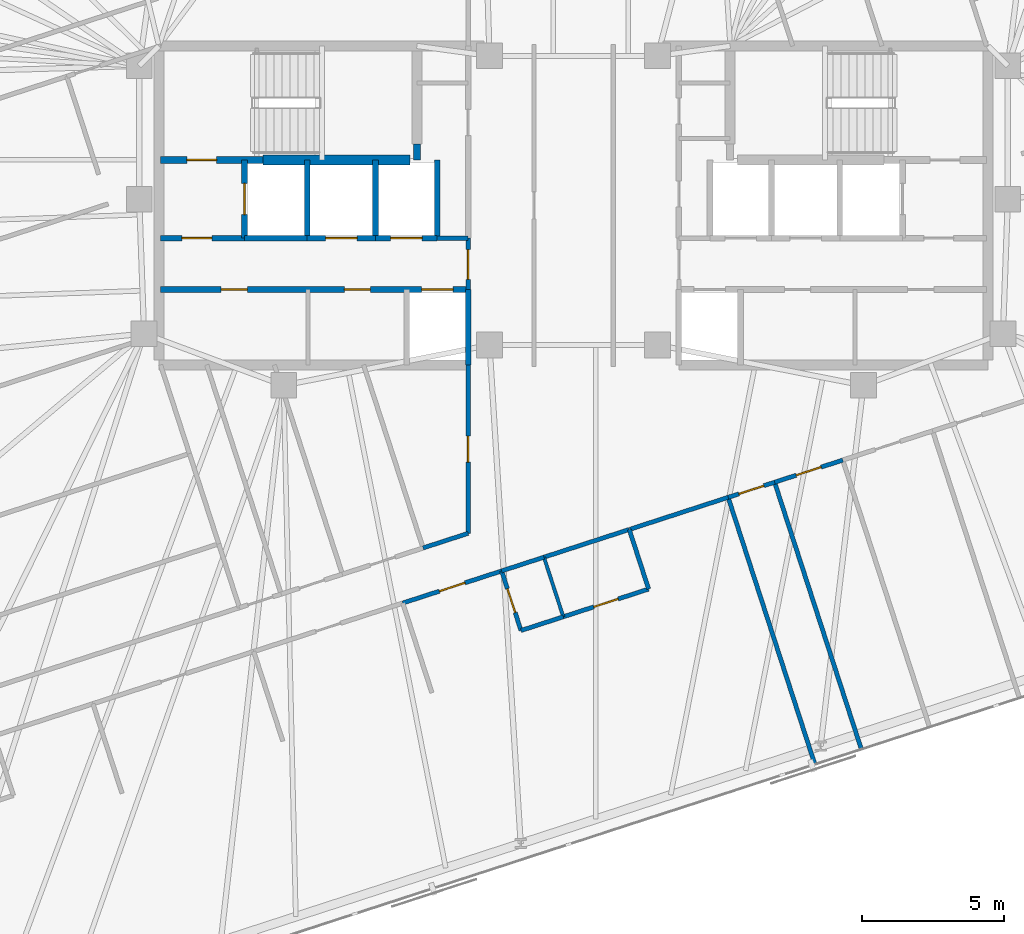
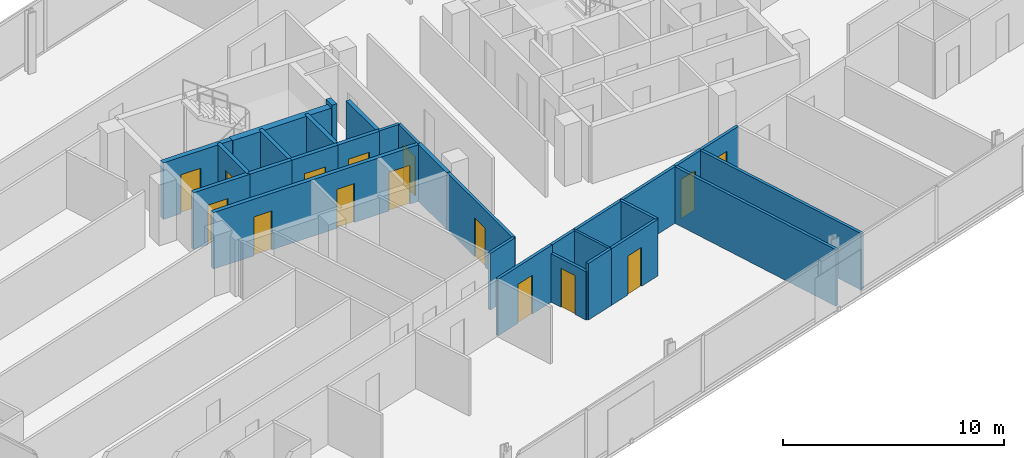
# One storey, part 14 of 19: 30 walls, 15 doors, 15 openings.
"""IFC4 building model written with IfcOpenShell, lengths in metres."""

from ifc_helpers import new_model, si_unit, direction, frame, frame_2d, origin, place, context, subcontext, project, spatial, rectangle, extrude, material, layer, layer_set, type_object, element, fill, save


model = new_model("IFC4")

# Units and contexts
model_context = context("Model", 3, precision=1e-05, world=origin(), true_north=direction((0.0, 1.0)))
body_context = subcontext(model_context, "Body", "Model", "MODEL_VIEW")
ifc_project = project(units=[si_unit("LENGTHUNIT", "METRE"), si_unit("AREAUNIT", "SQUARE_METRE"), si_unit("VOLUMEUNIT", "CUBIC_METRE"), si_unit("PLANEANGLEUNIT", "RADIAN"), si_unit("MASSUNIT", "GRAM", prefix="KILO")], contexts=[model_context])

# Site, building, storey
site_placement = place(None, origin())
site = spatial("IfcSite", under=ifc_project, at=site_placement, CompositionType="ELEMENT")
building_placement = place(site_placement, origin())
building = spatial("IfcBuilding", under=site, at=building_placement, Name="Menara Jurai Vektor", CompositionType="ELEMENT")
storey_placement = place(building_placement, frame((0.0, 0.0, 214.25)))
storey = spatial("IfcBuildingStorey", under=building, at=storey_placement, Name="L56", CompositionType="ELEMENT", Elevation=214.25)

# Wall, opening, door
ifc_material_1 = material(Name="Concrete C40/50", Category="concrete")
ifc_layer_1 = layer(ifc_material_1, 0.25)
ifc_layer_set_1 = layer_set([ifc_layer_1], Name="Concrete C40/50")
wall_type_1 = type_object("IfcWallType", Name="INT-WALL-CORE-250", PredefinedType="STANDARD", material=ifc_layer_set_1)
wall_1_placement = place(storey_placement, frame((-14.5, 1.60009765625, 0.0), z_axis=(0.0, 0.0, 1.0), x_axis=(1.0, 0.0, 0.0)))
wall_1 = element("IfcWall", 1, at=wall_1_placement, inside=storey, type_object=wall_type_1, Name="Interior Wall IW-250 L56", PredefinedType="STANDARD", context=body_context, shape_type="SweptSolid", body=[
    extrude(rectangle(XDim=3.60009765625, YDim=0.25, at=frame_2d((1.800048828125, 0.0))), origin(), (0.0, 0.0, 1.0), 3.125),
])
opening_1_placement = place(wall_1_placement, frame((0.919921875, 0.0, 0.0)))
opening_1 = element("IfcOpeningElement", 2, at=opening_1_placement, cuts=wall_1, Name="Opening D-L56-ST1", PredefinedType="OPENING", context=body_context, shape_type="SweptSolid", body=[
    extrude(rectangle(XDim=1.050048828125, YDim=2.14990234375, at=frame_2d((0.52490234375, 1.074951171875))), frame((0.0, 0.135009765625, 0.0), z_axis=(0.0, -1.0, 0.0), x_axis=(1.0, 0.0, 0.0)), (0.0, 0.0, 1.0), 0.27001953125),
])
ifc_material_2 = material(Name="Fire-Rated Steel Door", Category="steel")
door_type_1 = type_object("IfcDoorType", Name="DR-STAIR-1050", OperationType="NOTDEFINED", PredefinedType="DOOR", material=ifc_material_2)
door_1_placement = place(opening_1_placement, origin())
door_1 = element("IfcDoor", 3, at=door_1_placement, inside=storey, type_object=door_type_1, Name="Exit Stair ST1 Door L56", OperationType="SINGLE_SWING_RIGHT", OverallHeight=2.14990234375, OverallWidth=1.050048828125, PredefinedType="DOOR", context=body_context, shape_type="SweptSolid", body=[
    extrude(rectangle(XDim=1.050048828125, YDim=2.14990234375, at=frame_2d((0.52490234375, 1.074951171875))), frame((0.0, 0.02490234375, 0.0), z_axis=(0.0, -1.0, 0.0), x_axis=(1.0, 0.0, 0.0)), (0.0, 0.0, 1.0), 0.050048828125),
])
fill(opening_1, door_1)

# Wall
wall_2_placement = place(storey_placement, frame((-5.5, 1.60009765625, 0.0), z_axis=(0.0, 0.0, 1.0), x_axis=(0.0, 1.0, 0.0)))
element("IfcWall", 4, at=wall_2_placement, inside=storey, type_object=wall_type_1, Name="Interior Wall IW-250 L56", PredefinedType="STANDARD", context=body_context, shape_type="SweptSolid", body=[
    extrude(rectangle(XDim=0.5498046875, YDim=0.25, at=frame_2d((0.27490234375, 0.0))), origin(), (0.0, 0.0, 1.0), 3.125),
])

# Wall, opening, door
wall_3_placement = place(storey_placement, frame((-11.550048828125, -1.14990234375, 0.0), z_axis=(0.0, 0.0, 1.0), x_axis=(0.0, 1.0, 0.0)))
wall_3 = element("IfcWall", 5, at=wall_3_placement, inside=storey, type_object=wall_type_1, Name="Interior Wall IW-250 L56", PredefinedType="STANDARD", context=body_context, shape_type="SweptSolid", body=[
    extrude(rectangle(XDim=2.75, YDim=0.199951171875, at=frame_2d((1.375, 0.0))), origin(), (0.0, 0.0, 1.0), 3.125),
])
opening_2_placement = place(wall_3_placement, frame((0.824951171875, 0.0, 0.0)))
opening_2 = element("IfcOpeningElement", 6, at=opening_2_placement, cuts=wall_3, Name="Opening LD-L56-FL1", PredefinedType="OPENING", context=body_context, shape_type="SweptSolid", body=[
    extrude(rectangle(XDim=1.10009765625, YDim=2.14990234375, at=frame_2d((0.550048828125, 1.074951171875))), frame((0.0, 0.10986328125, 0.0), z_axis=(0.0, -1.0, 0.0), x_axis=(1.0, 0.0, 0.0)), (0.0, 0.0, 1.0), 0.219970703125),
])
ifc_material_3 = material(Name="Stainless Steel Sliding Lift Landing Door", Category="steel")
door_type_2 = type_object("IfcDoorType", Name="DR-LIFT-FIRE-1100", OperationType="NOTDEFINED", PredefinedType="DOOR", material=ifc_material_3)
door_2_placement = place(opening_2_placement, origin())
door_2 = element("IfcDoor", 7, at=door_2_placement, inside=storey, type_object=door_type_2, Name="Lift Landing Door FL1 L56", OperationType="SLIDING_TO_RIGHT", OverallHeight=2.14990234375, OverallWidth=1.10009765625, PredefinedType="DOOR", context=body_context, shape_type="SweptSolid", body=[
    extrude(rectangle(XDim=1.10009765625, YDim=2.14990234375, at=frame_2d((0.550048828125, 1.074951171875))), frame((0.0, 0.02490234375, 0.0), z_axis=(0.0, -1.0, 0.0), x_axis=(1.0, 0.0, 0.0)), (0.0, 0.0, 1.0), 0.050048828125),
])
fill(opening_2, door_2)

# Wall
wall_4_placement = place(storey_placement, frame((-9.35009765625, -1.14990234375, 0.0), z_axis=(0.0, 0.0, 1.0), x_axis=(0.0, 1.0, 0.0)))
element("IfcWall", 8, at=wall_4_placement, inside=storey, type_object=wall_type_1, Name="Interior Wall IW-250 L56", PredefinedType="STANDARD", context=body_context, shape_type="SweptSolid", body=[
    extrude(rectangle(XDim=2.75, YDim=0.199951171875, at=frame_2d((1.375, 0.0))), origin(), (0.0, 0.0, 1.0), 3.125),
])

# Wall, opening, door
wall_5_placement = place(storey_placement, frame((-14.5, -1.14990234375, 0.0), z_axis=(0.0, 0.0, 1.0), x_axis=(1.0, 0.0, 0.0)))
wall_5 = element("IfcWall", 9, at=wall_5_placement, inside=storey, type_object=wall_type_1, Name="Interior Wall IW-250 L56", PredefinedType="STANDARD", context=body_context, shape_type="SweptSolid", body=[
    extrude(rectangle(XDim=2.949951171875, YDim=0.199951171875, at=frame_2d((1.47509765625, 0.0))), origin(), (0.0, 0.0, 1.0), 3.125),
])
opening_3_placement = place(wall_5_placement, frame((0.75, 0.0, 0.0)))
opening_3 = element("IfcOpeningElement", 10, at=opening_3_placement, cuts=wall_5, Name="Opening D-L56-FFW", PredefinedType="OPENING", context=body_context, shape_type="SweptSolid", body=[
    extrude(rectangle(XDim=1.050048828125, YDim=2.179931640625, at=frame_2d((0.52490234375, 1.08984375))), frame((0.0, 0.10986328125, 0.0), z_axis=(0.0, -1.0, 0.0), x_axis=(1.0, 0.0, 0.0)), (0.0, 0.0, 1.0), 0.219970703125),
])
ifc_material_4 = material(Name="Fire-Rated Timber Door", Category="wood")
door_type_3 = type_object("IfcDoorType", Name="DR-LOBBY-1050", OperationType="NOTDEFINED", PredefinedType="DOOR", material=ifc_material_4)
door_3_placement = place(opening_3_placement, origin())
door_3 = element("IfcDoor", 11, at=door_3_placement, inside=storey, type_object=door_type_3, Name="Fire Lift Lobby Door W L56", OperationType="SINGLE_SWING_RIGHT", OverallHeight=2.179931640625, OverallWidth=1.050048828125, PredefinedType="DOOR", context=body_context, shape_type="SweptSolid", body=[
    extrude(rectangle(XDim=1.050048828125, YDim=2.179931640625, at=frame_2d((0.52490234375, 1.08984375))), frame((0.0, 0.02490234375, 0.0), z_axis=(0.0, -1.0, 0.0), x_axis=(1.0, 0.0, 0.0)), (0.0, 0.0, 1.0), 0.050048828125),
])
fill(opening_3, door_3)

# Wall
wall_6_placement = place(storey_placement, frame((-11.550048828125, -1.14990234375, 0.0), z_axis=(0.0, 0.0, 1.0), x_axis=(1.0, 0.0, 0.0)))
element("IfcWall", 12, at=wall_6_placement, inside=storey, type_object=wall_type_1, Name="Interior Wall IW-250 L56", PredefinedType="STANDARD", context=body_context, shape_type="SweptSolid", body=[
    extrude(rectangle(XDim=2.199951171875, YDim=0.199951171875, at=frame_2d((1.10009765625, 0.0))), origin(), (0.0, 0.0, 1.0), 3.125),
])

# Wall, opening, door
ifc_material_5 = material(Name="Gypsum Fireboard Partition", Category="gypsum")
ifc_layer_2 = layer(ifc_material_5, 0.14990234375)
ifc_layer_set_2 = layer_set([ifc_layer_2], Name="Gypsum Fireboard Partition")
wall_type_2 = type_object("IfcWallType", Name="INT-WALL-CORR-150", PredefinedType="PARTITIONING", material=ifc_layer_set_2)
wall_7_placement = place(storey_placement, frame((-3.699951171875, -2.949951171875, 0.0), z_axis=(0.0, 0.0, 1.0), x_axis=(0.0, 1.0, 0.0)))
wall_7 = element("IfcWall", 13, at=wall_7_placement, inside=storey, type_object=wall_type_2, Name="Interior Wall IW-150 L56", PredefinedType="PARTITIONING", context=body_context, shape_type="SweptSolid", body=[
    extrude(rectangle(XDim=1.800048828125, YDim=0.14990234375, at=frame_2d((0.89990234375, 0.0))), origin(), (0.0, 0.0, 1.0), 3.125),
])
opening_4_placement = place(wall_7_placement, frame((0.35009765625, 0.0, 0.0)))
opening_4 = element("IfcOpeningElement", 14, at=opening_4_placement, cuts=wall_7, Name="Opening D-L56-LLW", PredefinedType="OPENING", context=body_context, shape_type="SweptSolid", body=[
    extrude(rectangle(XDim=1.050048828125, YDim=2.179931640625, at=frame_2d((0.52490234375, 1.08984375))), frame((0.0, 0.0849609375, 0.0), z_axis=(0.0, -1.0, 0.0), x_axis=(1.0, 0.0, 0.0)), (0.0, 0.0, 1.0), 0.169921875),
])
door_4_placement = place(opening_4_placement, origin())
door_4 = element("IfcDoor", 15, at=door_4_placement, inside=storey, type_object=door_type_3, Name="Lift Lobby Corridor Door W L56", OperationType="SINGLE_SWING_LEFT", OverallHeight=2.179931640625, OverallWidth=1.050048828125, PredefinedType="DOOR", context=body_context, shape_type="SweptSolid", body=[
    extrude(rectangle(XDim=1.050048828125, YDim=2.179931640625, at=frame_2d((0.52490234375, 1.08984375))), frame((0.0, 0.02490234375, 0.0), z_axis=(0.0, -1.0, 0.0), x_axis=(1.0, 0.0, 0.0)), (0.0, 0.0, 1.0), 0.050048828125),
])
fill(opening_4, door_4)

# Wall
wall_8_placement = place(storey_placement, frame((-4.7900390625, -1.14990234375, 0.0), z_axis=(0.0, 0.0, 1.0), x_axis=(1.0, 0.0, 0.0)))
element("IfcWall", 16, at=wall_8_placement, inside=storey, type_object=wall_type_2, Name="Interior Wall IW-150 L56", PredefinedType="PARTITIONING", context=body_context, shape_type="SweptSolid", body=[
    extrude(rectangle(XDim=1.090087890625, YDim=0.14990234375, at=frame_2d((0.544921875, 0.0))), origin(), (0.0, 0.0, 1.0), 3.125),
])

# Wall, opening, door
wall_9_placement = place(storey_placement, frame((-5.9951171875, -13.962890625, 0.0), z_axis=(0.0, 0.0, 1.0), x_axis=(0.951050780541, 0.309034646652, 0.0)))
wall_9 = element("IfcWall", 17, at=wall_9_placement, inside=storey, type_object=wall_type_2, Name="Interior Wall IW-150 L56", PredefinedType="PARTITIONING", context=body_context, shape_type="SweptSolid", body=[
    extrude(rectangle(XDim=3.64990234375, YDim=0.14990234375, at=frame_2d((1.824951171875, 0.0))), origin(), (0.0, 0.0, 1.0), 3.125),
])
opening_5_placement = place(wall_9_placement, frame((1.35009765625, 0.0, 0.0)))
opening_5 = element("IfcOpeningElement", 18, at=opening_5_placement, cuts=wall_9, Name="Opening D56-18", PredefinedType="OPENING", context=body_context, shape_type="SweptSolid", body=[
    extrude(rectangle(XDim=0.949951171875, YDim=2.14990234375, at=frame_2d((0.47509765625, 1.074951171875))), frame((0.0, 0.0849609375, 0.0), z_axis=(0.0, -1.0, 0.0), x_axis=(1.0, 0.0, 0.0)), (0.0, 0.0, 1.0), 0.169921875),
])
ifc_material_6 = material(Name="Solid Core Timber Fire Door", Category="wood")
door_type_4 = type_object("IfcDoorType", Name="DR-ENTRY-950", OperationType="NOTDEFINED", PredefinedType="DOOR", material=ifc_material_6)
door_5_placement = place(opening_5_placement, origin())
door_5 = element("IfcDoor", 19, at=door_5_placement, inside=storey, type_object=door_type_4, Name="Interior Door D56-18", OperationType="SINGLE_SWING_LEFT", OverallHeight=2.14990234375, OverallWidth=0.949951171875, PredefinedType="DOOR", context=body_context, shape_type="SweptSolid", body=[
    extrude(rectangle(XDim=0.949951171875, YDim=2.14990234375, at=frame_2d((0.47509765625, 1.074951171875))), frame((0.0, 0.02490234375, 0.0), z_axis=(0.0, -1.0, 0.0), x_axis=(1.0, 0.0, 0.0)), (0.0, 0.0, 1.0), 0.050048828125),
])
fill(opening_5, door_5)

# Walls
wall_10_placement = place(storey_placement, frame((1.980224609375, -11.37158203125, 0.0), z_axis=(0.0, 0.0, 1.0), x_axis=(0.951052868128, 0.309028222052, 0.0)))
element("IfcWall", 20, at=wall_10_placement, inside=storey, type_object=wall_type_2, Name="Interior Wall IW-150 L56", PredefinedType="PARTITIONING", context=body_context, shape_type="SweptSolid", body=[
    extrude(rectangle(XDim=3.626220703125, YDim=0.14990234375, at=frame_2d((1.81298828125, 0.0))), origin(), (0.0, 0.0, 1.0), 3.125),
])
wall_11_placement = place(storey_placement, frame((-2.52392578125, -12.8349609375, 0.0), z_axis=(0.0, 0.0, 1.0), x_axis=(0.951062779317, 0.308997718112, 0.0)))
element("IfcWall", 21, at=wall_11_placement, inside=storey, type_object=wall_type_2, Name="Interior Wall IW-150 L56", PredefinedType="PARTITIONING", context=body_context, shape_type="SweptSolid", body=[
    extrude(rectangle(XDim=1.56201171875, YDim=0.14990234375, at=frame_2d((0.781005859375, 0.0))), origin(), (0.0, 0.0, 1.0), 3.125),
])
wall_12_placement = place(storey_placement, frame((-1.038330078125, -12.352294921875, 0.0), z_axis=(0.0, 0.0, 1.0), x_axis=(0.951058557014, 0.309010713619, 0.0)))
element("IfcWall", 22, at=wall_12_placement, inside=storey, type_object=wall_type_2, Name="Interior Wall IW-150 L56", PredefinedType="PARTITIONING", context=body_context, shape_type="SweptSolid", body=[
    extrude(rectangle(XDim=3.14990234375, YDim=0.14990234375, at=frame_2d((1.574951171875, 0.0))), origin(), (0.0, 0.0, 1.0), 3.125),
])

# Wall, opening, door
wall_13_placement = place(storey_placement, frame((5.428955078125, -10.2509765625, 0.0), z_axis=(0.0, 0.0, 1.0), x_axis=(0.95104661559, 0.309047463953, 0.0)))
wall_13 = element("IfcWall", 23, at=wall_13_placement, inside=storey, type_object=wall_type_2, Name="Interior Wall IW-150 L56", PredefinedType="PARTITIONING", context=body_context, shape_type="SweptSolid", body=[
    extrude(rectangle(XDim=1.7158203125, YDim=0.14990234375, at=frame_2d((0.85791015625, 0.0))), origin(), (0.0, 0.0, 1.0), 3.125),
])
opening_6_placement = place(wall_13_placement, frame((0.39794921875, 0.0, 0.0)))
opening_6 = element("IfcOpeningElement", 24, at=opening_6_placement, cuts=wall_13, Name="Opening D56-31", PredefinedType="OPENING", context=body_context, shape_type="SweptSolid", body=[
    extrude(rectangle(XDim=0.919921875, YDim=2.14990234375, at=frame_2d((0.4599609375, 1.074951171875))), frame((0.0, 0.0849609375, 0.0), z_axis=(0.0, -1.0, 0.0), x_axis=(1.0, 0.0, 0.0)), (0.0, 0.0, 1.0), 0.169921875),
])
door_6_placement = place(opening_6_placement, origin())
door_6 = element("IfcDoor", 25, at=door_6_placement, inside=storey, type_object=door_type_4, Name="Interior Door D56-31", OperationType="SINGLE_SWING_RIGHT", OverallHeight=2.14990234375, OverallWidth=0.919921875, PredefinedType="DOOR", context=body_context, shape_type="SweptSolid", body=[
    extrude(rectangle(XDim=0.919921875, YDim=2.14990234375, at=frame_2d((0.4599609375, 1.074951171875))), frame((0.0, 0.02490234375, 0.0), z_axis=(0.0, -1.0, 0.0), x_axis=(1.0, 0.0, 0.0)), (0.0, 0.0, 1.0), 0.050048828125),
])
fill(opening_6, door_6)

wall_14_placement = place(storey_placement, frame((7.060791015625, -9.720703125, 0.0), z_axis=(0.0, 0.0, 1.0), x_axis=(0.951051887333, 0.309031240494, 0.0)))
wall_14 = element("IfcWall", 26, at=wall_14_placement, inside=storey, type_object=wall_type_2, Name="Interior Wall IW-150 L56", PredefinedType="PARTITIONING", context=body_context, shape_type="SweptSolid", body=[
    extrude(rectangle(XDim=2.51708984375, YDim=0.14990234375, at=frame_2d((1.258544921875, 0.0))), origin(), (0.0, 0.0, 1.0), 3.125),
])
opening_7_placement = place(wall_14_placement, frame((0.798583984375, 0.0, 0.0)))
opening_7 = element("IfcOpeningElement", 27, at=opening_7_placement, cuts=wall_14, Name="Opening D56-32", PredefinedType="OPENING", context=body_context, shape_type="SweptSolid", body=[
    extrude(rectangle(XDim=0.919921875, YDim=2.14990234375, at=frame_2d((0.4599609375, 1.074951171875))), frame((0.0, 0.0849609375, 0.0), z_axis=(0.0, -1.0, 0.0), x_axis=(1.0, 0.0, 0.0)), (0.0, 0.0, 1.0), 0.169921875),
])
door_7_placement = place(opening_7_placement, origin())
door_7 = element("IfcDoor", 28, at=door_7_placement, inside=storey, type_object=door_type_4, Name="Interior Door D56-32", OperationType="SINGLE_SWING_LEFT", OverallHeight=2.14990234375, OverallWidth=0.919921875, PredefinedType="DOOR", context=body_context, shape_type="SweptSolid", body=[
    extrude(rectangle(XDim=0.919921875, YDim=2.14990234375, at=frame_2d((0.4599609375, 1.074951171875))), frame((0.0, 0.02490234375, 0.0), z_axis=(0.0, -1.0, 0.0), x_axis=(1.0, 0.0, 0.0)), (0.0, 0.0, 1.0), 0.050048828125),
])
fill(opening_7, door_7)

# Wall
wall_15_placement = place(storey_placement, frame((-5.283203125, -12.0283203125, 0.0), z_axis=(0.0, 0.0, 1.0), x_axis=(0.951031913627, 0.309092703349, 0.0)))
element("IfcWall", 29, at=wall_15_placement, inside=storey, type_object=wall_type_2, Name="Interior Wall IW-150 L56", PredefinedType="PARTITIONING", context=body_context, shape_type="SweptSolid", body=[
    extrude(rectangle(XDim=1.6650390625, YDim=0.14990234375, at=frame_2d((0.83251953125, 0.0))), origin(), (0.0, 0.0, 1.0), 3.125),
])

# Wall, opening, door
wall_16_placement = place(storey_placement, frame((-3.69970703125, -11.513671875, 0.0), z_axis=(0.0, 0.0, 1.0), x_axis=(-8.2572974e-05, 0.999999996591, 0.0)))
wall_16 = element("IfcWall", 30, at=wall_16_placement, inside=storey, type_object=wall_type_2, Name="Interior Wall IW-150 L56", PredefinedType="PARTITIONING", context=body_context, shape_type="SweptSolid", body=[
    extrude(rectangle(XDim=5.913330078125, YDim=0.14990234375, at=frame_2d((2.95654296875, 0.0))), origin(), (0.0, 0.0, 1.0), 3.125),
])
opening_8_placement = place(wall_16_placement, frame((2.49658203125, 0.0, 0.0)))
opening_8 = element("IfcOpeningElement", 31, at=opening_8_placement, cuts=wall_16, Name="Opening D56-38", PredefinedType="OPENING", context=body_context, shape_type="SweptSolid", body=[
    extrude(rectangle(XDim=0.919921875, YDim=2.14990234375, at=frame_2d((0.4599609375, 1.074951171875))), frame((0.0, 0.0849609375, 0.0), z_axis=(0.0, -1.0, 0.0), x_axis=(1.0, 0.0, 0.0)), (0.0, 0.0, 1.0), 0.169921875),
])
door_8_placement = place(opening_8_placement, origin())
door_8 = element("IfcDoor", 32, at=door_8_placement, inside=storey, type_object=door_type_4, Name="Interior Door D56-38", OperationType="SINGLE_SWING_LEFT", OverallHeight=2.14990234375, OverallWidth=0.919921875, PredefinedType="DOOR", context=body_context, shape_type="SweptSolid", body=[
    extrude(rectangle(XDim=0.919921875, YDim=2.14990234375, at=frame_2d((0.4599609375, 1.074951171875))), frame((0.0, 0.02490234375, 0.0), z_axis=(0.0, -1.0, 0.0), x_axis=(1.0, 0.0, 0.0)), (0.0, 0.0, 1.0), 0.050048828125),
])
fill(opening_8, door_8)

# Wall
wall_17_placement = place(storey_placement, frame((-1.843994140625, -14.92724609375, 0.0), z_axis=(0.0, 0.0, 1.0), x_axis=(0.951062779317, 0.308997718112, 0.0)))
element("IfcWall", 33, at=wall_17_placement, inside=storey, type_object=wall_type_2, Name="Interior Wall IW-150 L56", PredefinedType="PARTITIONING", context=body_context, shape_type="SweptSolid", body=[
    extrude(rectangle(XDim=1.56201171875, YDim=0.14990234375, at=frame_2d((0.781005859375, 0.0))), origin(), (0.0, 0.0, 1.0), 3.125),
])

# Wall, opening, door
wall_18_placement = place(storey_placement, frame((-0.3583984375, -14.444580078125, 0.0), z_axis=(0.0, 0.0, 1.0), x_axis=(0.951051155468, 0.309033492816, 0.0)))
wall_18 = element("IfcWall", 34, at=wall_18_placement, inside=storey, type_object=wall_type_2, Name="Interior Wall IW-150 L56", PredefinedType="PARTITIONING", context=body_context, shape_type="SweptSolid", body=[
    extrude(rectangle(XDim=3.14990234375, YDim=0.14990234375, at=frame_2d((1.574951171875, 0.0))), origin(), (0.0, 0.0, 1.0), 3.125),
])
opening_9_placement = place(wall_18_placement, frame((1.125, 0.0, 0.0)))
opening_9 = element("IfcOpeningElement", 35, at=opening_9_placement, cuts=wall_18, Name="Opening D56-20", PredefinedType="OPENING", context=body_context, shape_type="SweptSolid", body=[
    extrude(rectangle(XDim=0.89990234375, YDim=2.14990234375, at=frame_2d((0.449951171875, 1.074951171875))), frame((0.0, 0.0849609375, 0.0), z_axis=(0.0, -1.0, 0.0), x_axis=(1.0, 0.0, 0.0)), (0.0, 0.0, 1.0), 0.169921875),
])
ifc_material_7 = material(Name="Acoustic Timber Interior Door", Category="wood")
door_type_5 = type_object("IfcDoorType", Name="DR-ROOM-900", OperationType="NOTDEFINED", PredefinedType="DOOR", material=ifc_material_7)
door_9_placement = place(opening_9_placement, origin())
door_9 = element("IfcDoor", 36, at=door_9_placement, inside=storey, type_object=door_type_5, Name="Interior Door D56-20", OperationType="SINGLE_SWING_LEFT", OverallHeight=2.14990234375, OverallWidth=0.89990234375, PredefinedType="DOOR", context=body_context, shape_type="SweptSolid", body=[
    extrude(rectangle(XDim=0.89990234375, YDim=2.14990234375, at=frame_2d((0.449951171875, 1.074951171875))), frame((0.0, 0.02490234375, 0.0), z_axis=(0.0, -1.0, 0.0), x_axis=(1.0, 0.0, 0.0)), (0.0, 0.0, 1.0), 0.050048828125),
])
fill(opening_9, door_9)

# Walls
wall_19_placement = place(storey_placement, frame((2.63720703125, -13.47119140625, 0.0), z_axis=(0.0, 0.0, 1.0), x_axis=(-0.308960600764, 0.951074837842, 0.0)))
element("IfcWall", 37, at=wall_19_placement, inside=storey, type_object=wall_type_2, Name="Interior Wall IW-150 L56", PredefinedType="PARTITIONING", context=body_context, shape_type="SweptSolid", body=[
    extrude(rectangle(XDim=2.199951171875, YDim=0.14990234375, at=frame_2d((1.10009765625, 0.0))), origin(), (0.0, 0.0, 1.0), 3.125),
])
for number, where, z_axis, x_axis, name in (
    (38, (8.476318359375, -19.63037109375, 0.0), (0.0, 0.0, 1.0), (-0.308999867152, 0.951062081097, 0.0), "Interior Wall IW-150 L56"),
    (39, (10.1083984375, -19.10009765625, 0.0), (0.0, 0.0, 1.0), (-0.309022258842, 0.95105480575, 0.0), "Interior Wall IW-150 L56"),
):
    element("IfcWall", number, at=place(storey_placement, frame(where, z_axis=z_axis, x_axis=x_axis)), inside=storey, type_object=wall_type_2, Name=name, PredefinedType="PARTITIONING", context=body_context, shape_type="SweptSolid", body=[
        extrude(rectangle(XDim=9.862060546875, YDim=0.14990234375, at=frame_2d((4.93115234375, 0.0))), origin(), (0.0, 0.0, 1.0), 3.125),
    ])

# Wall, opening, door
ifc_layer_3 = layer(ifc_material_5, 0.14990234375)
ifc_layer_set_3 = layer_set([ifc_layer_3], Name="Gypsum Fireboard Partition")
wall_type_3 = type_object("IfcWallType", Name="INT-WALL-CORR-150-H1", PredefinedType="PARTITIONING", material=ifc_layer_set_3)
wall_20_placement = place(storey_placement, frame((-1.843994140625, -14.92724609375, 0.0), z_axis=(0.0, 0.0, 1.0), x_axis=(-0.309060979314, 0.951042223598, 0.0)))
wall_20 = element("IfcWall", 40, at=wall_20_placement, inside=storey, type_object=wall_type_3, Name="Interior Wall IW-150 L56", PredefinedType="PARTITIONING", context=body_context, shape_type="SweptSolid", body=[
    extrude(rectangle(XDim=2.199951171875, YDim=0.14990234375, at=frame_2d((1.10009765625, 0.0))), origin(), (0.0, 0.0, 1.0), 2.675048828125),
])
opening_10_placement = place(wall_20_placement, frame((0.659912109375, 0.0, 0.0)))
opening_10 = element("IfcOpeningElement", 41, at=opening_10_placement, cuts=wall_20, Name="Opening D56-19", PredefinedType="OPENING", context=body_context, shape_type="SweptSolid", body=[
    extrude(rectangle(XDim=0.8798828125, YDim=2.14990234375, at=frame_2d((0.43994140625, 1.074951171875))), frame((0.0, 0.0849609375, 0.0), z_axis=(0.0, -1.0, 0.0), x_axis=(1.0, 0.0, 0.0)), (0.0, 0.0, 1.0), 0.169921875),
])
ifc_material_8 = material(Name="Moisture-Resistant Timber Door", Category="wood")
door_type_6 = type_object("IfcDoorType", Name="DR-BATH-880", OperationType="NOTDEFINED", PredefinedType="DOOR", material=ifc_material_8)
door_10_placement = place(opening_10_placement, origin())
door_10 = element("IfcDoor", 42, at=door_10_placement, inside=storey, type_object=door_type_6, Name="Interior Door D56-19", OperationType="SINGLE_SWING_RIGHT", OverallHeight=2.14990234375, OverallWidth=0.8798828125, PredefinedType="DOOR", context=body_context, shape_type="SweptSolid", body=[
    extrude(rectangle(XDim=0.8798828125, YDim=2.14990234375, at=frame_2d((0.43994140625, 1.074951171875))), frame((0.0, 0.02490234375, 0.0), z_axis=(0.0, -1.0, 0.0), x_axis=(1.0, 0.0, 0.0)), (0.0, 0.0, 1.0), 0.050048828125),
])
fill(opening_10, door_10)

# Walls
ifc_material_9 = material(Name="Gypsum Acoustic Stud Partition", Category="gypsum")
ifc_layer_4 = layer(ifc_material_9, 0.1201171875)
ifc_layer_set_4 = layer_set([ifc_layer_4], Name="Gypsum Acoustic Stud Partition")
wall_type_4 = type_object("IfcWallType", Name="INT-WALL-PART-120", PredefinedType="PARTITIONING", material=ifc_layer_set_4)
wall_21_placement = place(storey_placement, frame((-0.3583984375, -14.444580078125, 0.0), z_axis=(0.0, 0.0, 1.0), x_axis=(-0.309060979314, 0.951042223598, 0.0)))
element("IfcWall", 43, at=wall_21_placement, inside=storey, type_object=wall_type_4, Name="Interior Wall IW-120 L56", PredefinedType="PARTITIONING", context=body_context, shape_type="SweptSolid", body=[
    extrude(rectangle(XDim=2.199951171875, YDim=0.1201171875, at=frame_2d((1.10009765625, 0.0))), origin(), (0.0, 0.0, 1.0), 3.125),
])
ifc_layer_5 = layer(ifc_material_1, 0.199951171875)
ifc_layer_set_5 = layer_set([ifc_layer_5], Name="Concrete C40/50")
wall_type_5 = type_object("IfcWallType", Name="INT-WALL-SHAFT-200", PredefinedType="STANDARD", material=ifc_layer_set_5)
wall_22_placement = place(storey_placement, frame((-3.699951171875, -5.60009765625, 0.0), z_axis=(0.0, 0.0, 1.0), x_axis=(0.0, 1.0, 0.0)))
element("IfcWall", 44, at=wall_22_placement, inside=storey, type_object=wall_type_5, Name="Interior Wall IW-200 L56", PredefinedType="STANDARD", context=body_context, shape_type="SweptSolid", body=[
    extrude(rectangle(XDim=2.650146484375, YDim=0.199951171875, at=frame_2d((1.3251953125, 0.0))), origin(), (0.0, 0.0, 1.0), 3.125),
])
wall_23_placement = place(storey_placement, frame((-6.949951171875, -1.14990234375, 0.0), z_axis=(0.0, 0.0, 1.0), x_axis=(0.0, 1.0, 0.0)))
element("IfcWall", 45, at=wall_23_placement, inside=storey, type_object=wall_type_5, Name="Interior Wall IW-200 L56", PredefinedType="STANDARD", context=body_context, shape_type="SweptSolid", body=[
    extrude(rectangle(XDim=2.75, YDim=0.199951171875, at=frame_2d((1.375, 0.0))), origin(), (0.0, 0.0, 1.0), 3.125),
])

# Wall, opening, door
wall_24_placement = place(storey_placement, frame((-9.35009765625, -1.14990234375, 0.0), z_axis=(0.0, 0.0, 1.0), x_axis=(1.0, 0.0, 0.0)))
wall_24 = element("IfcWall", 46, at=wall_24_placement, inside=storey, type_object=wall_type_5, Name="Interior Wall IW-200 L56", PredefinedType="STANDARD", context=body_context, shape_type="SweptSolid", body=[
    extrude(rectangle(XDim=2.400146484375, YDim=0.199951171875, at=frame_2d((1.2001953125, 0.0))), origin(), (0.0, 0.0, 1.0), 3.125),
])
opening_11_placement = place(wall_24_placement, frame((0.64990234375, 0.0, 0.0)))
opening_11 = element("IfcOpeningElement", 47, at=opening_11_placement, cuts=wall_24, Name="Opening LD-L56-SVL1", PredefinedType="OPENING", context=body_context, shape_type="SweptSolid", body=[
    extrude(rectangle(XDim=1.10009765625, YDim=2.14990234375, at=frame_2d((0.550048828125, 1.074951171875))), frame((0.0, 0.10986328125, 0.0), z_axis=(0.0, -1.0, 0.0), x_axis=(1.0, 0.0, 0.0)), (0.0, 0.0, 1.0), 0.219970703125),
])
ifc_material_10 = material(Name="Anodised Stainless Sliding Lift Landing Door", Category="steel")
door_type_7 = type_object("IfcDoorType", Name="DR-LIFT-PASS-1100", OperationType="NOTDEFINED", PredefinedType="DOOR", material=ifc_material_10)
door_11_placement = place(opening_11_placement, origin())
door_11 = element("IfcDoor", 48, at=door_11_placement, inside=storey, type_object=door_type_7, Name="Lift Landing Door SVL1 L56", OperationType="SLIDING_TO_RIGHT", OverallHeight=2.14990234375, OverallWidth=1.10009765625, PredefinedType="DOOR", context=body_context, shape_type="SweptSolid", body=[
    extrude(rectangle(XDim=1.10009765625, YDim=2.14990234375, at=frame_2d((0.550048828125, 1.074951171875))), frame((0.0, 0.02490234375, 0.0), z_axis=(0.0, -1.0, 0.0), x_axis=(1.0, 0.0, 0.0)), (0.0, 0.0, 1.0), 0.050048828125),
])
fill(opening_11, door_11)

# Wall
wall_25_placement = place(storey_placement, frame((-4.7900390625, -1.14990234375, 0.0), z_axis=(0.0, 0.0, 1.0), x_axis=(0.0, 1.0, 0.0)))
element("IfcWall", 49, at=wall_25_placement, inside=storey, type_object=wall_type_5, Name="Interior Wall IW-200 L56", PredefinedType="STANDARD", context=body_context, shape_type="SweptSolid", body=[
    extrude(rectangle(XDim=2.75, YDim=0.199951171875, at=frame_2d((1.375, 0.0))), origin(), (0.0, 0.0, 1.0), 3.125),
])

# Wall, opening, door
wall_26_placement = place(storey_placement, frame((-6.949951171875, -1.14990234375, 0.0), z_axis=(0.0, 0.0, 1.0), x_axis=(1.0, 0.0, 0.0)))
wall_26 = element("IfcWall", 50, at=wall_26_placement, inside=storey, type_object=wall_type_5, Name="Interior Wall IW-200 L56", PredefinedType="STANDARD", context=body_context, shape_type="SweptSolid", body=[
    extrude(rectangle(XDim=2.159912109375, YDim=0.199951171875, at=frame_2d((1.080078125, 0.0))), origin(), (0.0, 0.0, 1.0), 3.125),
])
opening_12_placement = place(wall_26_placement, frame((0.530029296875, 0.0, 0.0)))
opening_12 = element("IfcOpeningElement", 51, at=opening_12_placement, cuts=wall_26, Name="Opening LD-L56-PH2", PredefinedType="OPENING", context=body_context, shape_type="SweptSolid", body=[
    extrude(rectangle(XDim=1.10009765625, YDim=2.14990234375, at=frame_2d((0.550048828125, 1.074951171875))), frame((0.0, 0.10986328125, 0.0), z_axis=(0.0, -1.0, 0.0), x_axis=(1.0, 0.0, 0.0)), (0.0, 0.0, 1.0), 0.219970703125),
])
door_12_placement = place(opening_12_placement, origin())
door_12 = element("IfcDoor", 52, at=door_12_placement, inside=storey, type_object=door_type_7, Name="Lift Landing Door PH2 L56", OperationType="SLIDING_TO_RIGHT", OverallHeight=2.14990234375, OverallWidth=1.10009765625, PredefinedType="DOOR", context=body_context, shape_type="SweptSolid", body=[
    extrude(rectangle(XDim=1.10009765625, YDim=2.14990234375, at=frame_2d((0.550048828125, 1.074951171875))), frame((0.0, 0.02490234375, 0.0), z_axis=(0.0, -1.0, 0.0), x_axis=(1.0, 0.0, 0.0)), (0.0, 0.0, 1.0), 0.050048828125),
])
fill(opening_12, door_12)

# Wall, openings, doors
wall_27_placement = place(storey_placement, frame((-14.5, -2.949951171875, 0.0), z_axis=(0.0, 0.0, 1.0), x_axis=(1.0, 0.0, 0.0)))
wall_27 = element("IfcWall", 53, at=wall_27_placement, inside=storey, type_object=wall_type_5, Name="Interior Wall IW-200 L56", PredefinedType="STANDARD", context=body_context, shape_type="SweptSolid", body=[
    extrude(rectangle(XDim=10.800048828125, YDim=0.199951171875, at=frame_2d((5.39990234375, 0.0))), origin(), (0.0, 0.0, 1.0), 3.125),
])
opening_13_placement = place(wall_27_placement, frame((9.169921875, 0.0, 0.0)))
opening_13 = element("IfcOpeningElement", 54, at=opening_13_placement, cuts=wall_27, Name="Opening LD-L56-PH1", PredefinedType="OPENING", context=body_context, shape_type="SweptSolid", body=[
    extrude(rectangle(XDim=1.10009765625, YDim=2.14990234375, at=frame_2d((0.550048828125, 1.074951171875))), frame((0.0, 0.10986328125, 0.0), z_axis=(0.0, -1.0, 0.0), x_axis=(1.0, 0.0, 0.0)), (0.0, 0.0, 1.0), 0.219970703125),
])
opening_14_placement = place(wall_27_placement, frame((2.1298828125, 0.0, 0.0)))
opening_14 = element("IfcOpeningElement", 55, at=opening_14_placement, cuts=wall_27, Name="Opening D56-01", PredefinedType="OPENING", context=body_context, shape_type="SweptSolid", body=[
    extrude(rectangle(XDim=0.919921875, YDim=2.14990234375, at=frame_2d((0.4599609375, 1.074951171875))), frame((0.0, 0.10986328125, 0.0), z_axis=(0.0, -1.0, 0.0), x_axis=(1.0, 0.0, 0.0)), (0.0, 0.0, 1.0), 0.219970703125),
])
opening_15_placement = place(wall_27_placement, frame((6.449951171875, 0.0, 0.0)))
opening_15 = element("IfcOpeningElement", 56, at=opening_15_placement, cuts=wall_27, Name="Opening D56-02", PredefinedType="OPENING", context=body_context, shape_type="SweptSolid", body=[
    extrude(rectangle(XDim=0.919921875, YDim=2.14990234375, at=frame_2d((0.4599609375, 1.074951171875))), frame((0.0, 0.10986328125, 0.0), z_axis=(0.0, -1.0, 0.0), x_axis=(1.0, 0.0, 0.0)), (0.0, 0.0, 1.0), 0.219970703125),
])
door_13_placement = place(opening_14_placement, origin())
door_13 = element("IfcDoor", 57, at=door_13_placement, inside=storey, type_object=door_type_4, Name="Interior Door D56-01", OperationType="SINGLE_SWING_LEFT", OverallHeight=2.14990234375, OverallWidth=0.919921875, PredefinedType="DOOR", context=body_context, shape_type="SweptSolid", body=[
    extrude(rectangle(XDim=0.919921875, YDim=2.14990234375, at=frame_2d((0.4599609375, 1.074951171875))), frame((0.0, 0.02490234375, 0.0), z_axis=(0.0, -1.0, 0.0), x_axis=(1.0, 0.0, 0.0)), (0.0, 0.0, 1.0), 0.050048828125),
])
fill(opening_14, door_13)
door_14_placement = place(opening_15_placement, origin())
door_14 = element("IfcDoor", 58, at=door_14_placement, inside=storey, type_object=door_type_4, Name="Interior Door D56-02", OperationType="SINGLE_SWING_RIGHT", OverallHeight=2.14990234375, OverallWidth=0.919921875, PredefinedType="DOOR", context=body_context, shape_type="SweptSolid", body=[
    extrude(rectangle(XDim=0.919921875, YDim=2.14990234375, at=frame_2d((0.4599609375, 1.074951171875))), frame((0.0, 0.02490234375, 0.0), z_axis=(0.0, -1.0, 0.0), x_axis=(1.0, 0.0, 0.0)), (0.0, 0.0, 1.0), 0.050048828125),
])
fill(opening_15, door_14)
door_15_placement = place(opening_13_placement, origin())
door_15 = element("IfcDoor", 59, at=door_15_placement, inside=storey, type_object=door_type_7, Name="Lift Landing Door PH1 L56", OperationType="SLIDING_TO_RIGHT", OverallHeight=2.14990234375, OverallWidth=1.10009765625, PredefinedType="DOOR", context=body_context, shape_type="SweptSolid", body=[
    extrude(rectangle(XDim=1.10009765625, YDim=2.14990234375, at=frame_2d((0.550048828125, 1.074951171875))), frame((0.0, 0.02490234375, 0.0), z_axis=(0.0, -1.0, 0.0), x_axis=(1.0, 0.0, 0.0)), (0.0, 0.0, 1.0), 0.050048828125),
])
fill(opening_13, door_15)

# Wall
ifc_material_11 = material(Name="Concrete C50/60", Category="concrete")
ifc_layer_6 = layer(ifc_material_11, 0.35009765625)
ifc_layer_set_6 = layer_set([ifc_layer_6], Name="Concrete C50/60")
wall_type_6 = type_object("IfcWallType", Name="STR-WALL-CORE350", PredefinedType="SHEAR", material=ifc_layer_set_6)
wall_28_placement = place(storey_placement, frame((-10.89990234375, 1.60009765625, 0.0), z_axis=(0.0, 0.0, 1.0), x_axis=(1.0, 0.0, 0.0)))
element("IfcWall", 60, at=wall_28_placement, inside=storey, type_object=wall_type_6, Name="Core Shear Wall CW-W-STS L56", PredefinedType="SHEAR", context=body_context, shape_type="SweptSolid", body=[
    extrude(rectangle(XDim=5.14990234375, YDim=0.35009765625, at=frame_2d((2.574951171875, 0.0))), origin(), (0.0, 0.0, 1.0), 3.125),
])

save(model, "model.ifc")
